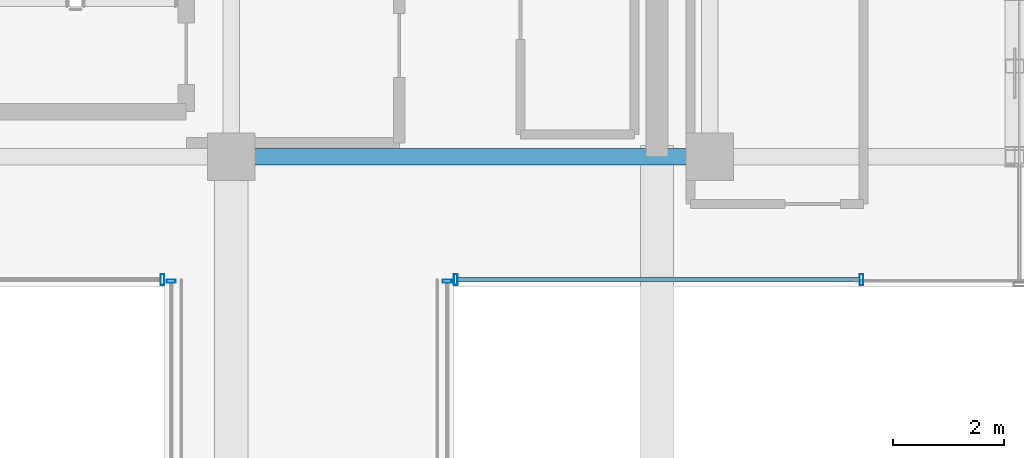
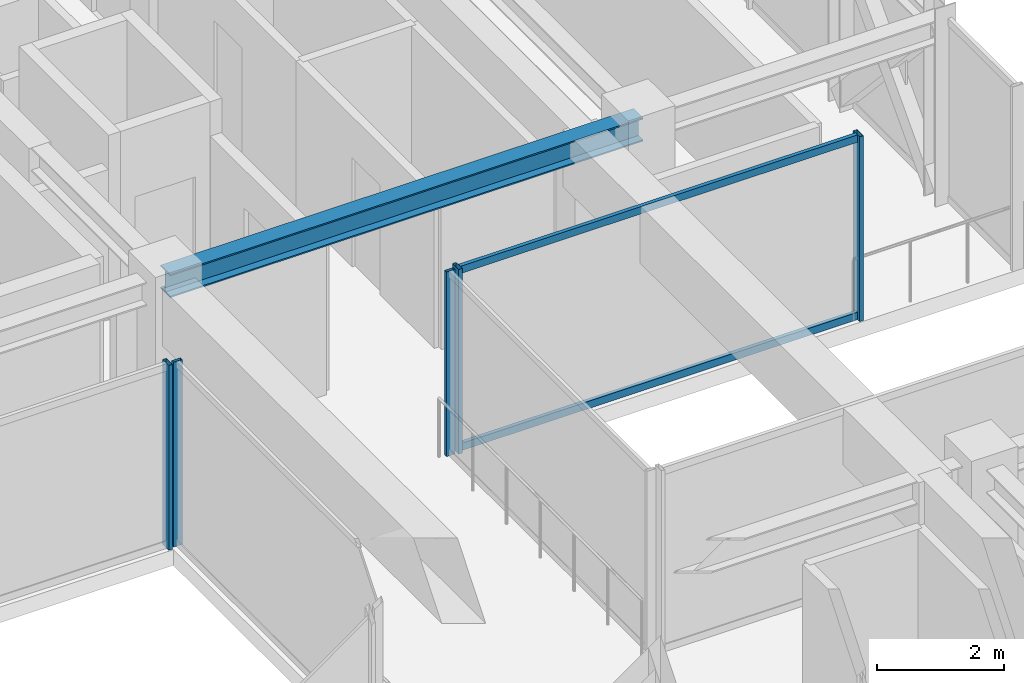
# One storey, part 21 of 40: 7 members, 1 beam, 4 elements without a shape of their own.
"""IFC4 building model written with IfcOpenShell, lengths in metres."""

from ifc_helpers import new_model, si_unit, direction, frame, origin, origin_2d, place, context, subcontext, project, spatial, hollow_rectangle, i_section, extrude, source, transform, mapped, material, material_profile, profile_set, type_object, element, aggregate, save


model = new_model("IFC4")

# Units and contexts
model_context = context("Model", 3, precision=1e-05, world=origin(), true_north=direction((0.0, 1.0)))
body_context = subcontext(model_context, "Body", "Model", "MODEL_VIEW")
ifc_project = project(units=[si_unit("LENGTHUNIT", "METRE"), si_unit("AREAUNIT", "SQUARE_METRE"), si_unit("VOLUMEUNIT", "CUBIC_METRE"), si_unit("PLANEANGLEUNIT", "RADIAN"), si_unit("MASSUNIT", "GRAM", prefix="KILO")], contexts=[model_context])

# Site, building, storey
site_placement = place(None, origin())
site = spatial("IfcSite", under=ifc_project, at=site_placement, CompositionType="ELEMENT")
building_placement = place(site_placement, origin())
building = spatial("IfcBuilding", under=site, at=building_placement, Name="Nahalor Promenade Grand Hotel", CompositionType="ELEMENT")
storey_placement = place(building_placement, frame((0.0, 0.0, 288.800048828125)))
storey = spatial("IfcBuildingStorey", under=building, at=storey_placement, Name="L74", CompositionType="ELEMENT", Elevation=288.800048828125)

# Beam
ifc_material_1 = material(Name="Steel S355JR", Category="steel")
ifc_material_profile_1 = material_profile(ifc_material_1, i_section(OverallWidth=0.3, OverallDepth=0.45, WebThickness=0.014, FlangeThickness=0.026, at=origin_2d()), Name="HEB 450")
ifc_profile_set_1 = profile_set([ifc_material_profile_1], Name="Steel S355JR")
beam_type = type_object("IfcBeamType", Name="Beam-Girder-HEB450", PredefinedType="BEAM", material=ifc_profile_set_1)
shared_shape_1 = source(origin(), body_context, "Body", "SweptSolid", [
    extrude(i_section(OverallWidth=0.3, OverallDepth=0.45, WebThickness=0.014, FlangeThickness=0.026, at=origin_2d()), origin(), (0.0, 0.0, 1.0), 8.60009765625),
])
beam_placement = place(storey_placement, frame((8.39990234375, 5.39990234375, 3.324951171875), z_axis=(1.0, 0.0, 0.0), x_axis=(0.0, 1.0, 0.0)))
element("IfcBeam", 1, at=beam_placement, inside=storey, type_object=beam_type, Name="BM-L74-GX-2-5", PredefinedType="BEAM", context=body_context, shape_type="MappedRepresentation", body=[
    mapped(shared_shape_1, transform((0.0, 0.0, 0.0), scale=1.0)),
])

# Curtain wall, members
ifc_material_2 = material(Name="Anodised Bronze Aluminium EN AW-6063 T6", Category="aluminium")
curtain_wall_type_1 = type_object("IfcCurtainWallType", Name="CW3 Elliptical-Void Collar Unitised Curtain Wall", PredefinedType="USERDEFINED", material=ifc_material_2)
curtain_wall_1_placement = place(storey_placement, origin())
curtain_wall_1 = element("IfcCurtainWall", 2, at=curtain_wall_1_placement, inside=storey, type_object=curtain_wall_type_1, Name="L74 Curtain Wall CW-L74-VOID-EN1", ObjectType="UNITISED_CURTAIN_WALL", PredefinedType="USERDEFINED")
ifc_material_profile_2 = material_profile(ifc_material_2, hollow_rectangle(XDim=0.07, YDim=0.14, WallThickness=0.004, at=origin_2d()), Name="CWT 70x140x4")
ifc_profile_set_2 = profile_set([ifc_material_profile_2], Name="Anodised Bronze Aluminium EN AW-6063 T6")
member_type_1 = type_object("IfcMemberType", Name="CWT3 Void Collar Transom 70x140", PredefinedType="USERDEFINED", material=ifc_profile_set_2)
shared_shape_2 = source(origin(), body_context, "Body", "SweptSolid", [
    extrude(hollow_rectangle(XDim=0.07, YDim=0.14, WallThickness=0.004, at=origin_2d()), origin(), (0.0, 0.0, 1.0), 7.219970703125),
])
member_1_placement = place(storey_placement, frame((12.469970703125, 3.19091796875, 0.070068359375), z_axis=(1.0, 0.0, 0.0), x_axis=(0.0, 1.0, 0.0)))
member_1 = element("IfcMember", 3, at=member_1_placement, type_object=member_type_1, Name="CW-L74-VOID-EN1 Transom 0-0", ObjectType="TRANSOM", PredefinedType="USERDEFINED", context=body_context, shape_type="MappedRepresentation", body=[
    mapped(shared_shape_2, transform((0.0, 0.0, 0.0), scale=1.0)),
])
member_2_placement = place(storey_placement, frame((12.469970703125, 3.19091796875, 3.47998046875), z_axis=(1.0, 0.0, 0.0), x_axis=(0.0, 1.0, 0.0)))
member_2 = element("IfcMember", 4, at=member_2_placement, type_object=member_type_1, Name="CW-L74-VOID-EN1 Transom 0-1", ObjectType="TRANSOM", PredefinedType="USERDEFINED", context=body_context, shape_type="MappedRepresentation", body=[
    mapped(shared_shape_2, transform((0.0, 0.0, 0.0), scale=1.0)),
])

# Curtain wall, member
curtain_wall_2_placement = place(storey_placement, origin())
curtain_wall_2 = element("IfcCurtainWall", 5, at=curtain_wall_2_placement, inside=storey, type_object=curtain_wall_type_1, Name="L74 Curtain Wall CW-L74-VOID-WN1", ObjectType="UNITISED_CURTAIN_WALL", PredefinedType="USERDEFINED")
ifc_material_profile_3 = material_profile(ifc_material_2, hollow_rectangle(XDim=0.07, YDim=0.2, WallThickness=0.005, at=origin_2d()), Name="CWM 70x200x5")
ifc_profile_set_3 = profile_set([ifc_material_profile_3], Name="Anodised Bronze Aluminium EN AW-6063 T6")
member_type_2 = type_object("IfcMemberType", Name="CWM3 Void Collar Mullion 70x200", PredefinedType="MULLION", material=ifc_profile_set_3)
shared_shape_3 = source(origin(), body_context, "Body", "SweptSolid", [
    extrude(hollow_rectangle(XDim=0.07, YDim=0.2, WallThickness=0.005, at=origin_2d()), origin(), (0.0, 0.0, 1.0), 3.550048828125),
])
member_3_placement = place(storey_placement, frame((7.1650390625, 3.19091796875, 0.0), z_axis=(0.0, 0.0, 1.0), x_axis=(1.0, 0.0, 0.0)))
member_3 = element("IfcMember", 6, at=member_3_placement, type_object=member_type_2, Name="CW-L74-VOID-WN1 Mullion 3", PredefinedType="MULLION", context=body_context, shape_type="MappedRepresentation", body=[
    mapped(shared_shape_3, transform((0.0, 0.0, 0.0), scale=1.0)),
])
aggregate(curtain_wall_2, [member_3])

# Member
member_4_placement = place(storey_placement, frame((12.43505859375, 3.19091796875, 0.0), z_axis=(0.0, 0.0, 1.0), x_axis=(1.0, 0.0, 0.0)))
member_4 = element("IfcMember", 7, at=member_4_placement, type_object=member_type_2, Name="CW-L74-VOID-EN1 Mullion 0", PredefinedType="MULLION", context=body_context, shape_type="MappedRepresentation", body=[
    mapped(shared_shape_3, transform((0.0, 0.0, 0.0), scale=1.0)),
])

member_5_placement = place(storey_placement, frame((19.72509765625, 3.19091796875, 0.0), z_axis=(0.0, 0.0, 1.0), x_axis=(1.0, 0.0, 0.0)))
member_5 = element("IfcMember", 8, at=member_5_placement, type_object=member_type_2, Name="CW-L74-VOID-EN1 Mullion 1", PredefinedType="MULLION", context=body_context, shape_type="MappedRepresentation", body=[
    mapped(shared_shape_3, transform((0.0, 0.0, 0.0), scale=1.0)),
])

aggregate(curtain_wall_1, [member_4, member_5, member_1, member_2])

# Curtain wall, member
curtain_wall_type_2 = type_object("IfcCurtainWallType", Name="CW4 Low-Iron Sky-Gallery Bridge Curtain Wall", PredefinedType="USERDEFINED", material=ifc_material_2)
curtain_wall_3_placement = place(storey_placement, origin())
curtain_wall_3 = element("IfcCurtainWall", 9, at=curtain_wall_3_placement, inside=storey, type_object=curtain_wall_type_2, Name="L74 Curtain Wall CW-L74-BRG-W", ObjectType="UNITISED_CURTAIN_WALL", PredefinedType="USERDEFINED")
ifc_material_profile_4 = material_profile(ifc_material_2, hollow_rectangle(XDim=0.06, YDim=0.16, WallThickness=0.004, at=origin_2d()), Name="CWM 60x160x4")
ifc_profile_set_4 = profile_set([ifc_material_profile_4], Name="Anodised Bronze Aluminium EN AW-6063 T6")
member_type_3 = type_object("IfcMemberType", Name="CWM4 Sky-Gallery Slim Mullion 60x160", PredefinedType="MULLION", material=ifc_profile_set_4)
shared_shape_4 = source(origin(), body_context, "Body", "SweptSolid", [
    extrude(hollow_rectangle(XDim=0.06, YDim=0.16, WallThickness=0.004, at=origin_2d()), origin(), (0.0, 0.0, 1.0), 3.550048828125),
])
member_6_placement = place(storey_placement, frame((7.320068359375, 3.160888671875, 0.0), z_axis=(0.0, 0.0, 1.0), x_axis=(0.0, 1.0, 0.0)))
member_6 = element("IfcMember", 10, at=member_6_placement, type_object=member_type_3, Name="CW-L74-BRG-W Mullion 1", PredefinedType="MULLION", context=body_context, shape_type="MappedRepresentation", body=[
    mapped(shared_shape_4, transform((0.0, 0.0, 0.0), scale=1.0)),
])
aggregate(curtain_wall_3, [member_6])

curtain_wall_4_placement = place(storey_placement, origin())
curtain_wall_4 = element("IfcCurtainWall", 11, at=curtain_wall_4_placement, inside=storey, type_object=curtain_wall_type_2, Name="L74 Curtain Wall CW-L74-BRG-E", ObjectType="UNITISED_CURTAIN_WALL", PredefinedType="USERDEFINED")
member_7_placement = place(storey_placement, frame((12.280029296875, 3.160888671875, 0.0), z_axis=(0.0, 0.0, 1.0), x_axis=(0.0, 1.0, 0.0)))
member_7 = element("IfcMember", 12, at=member_7_placement, type_object=member_type_3, Name="CW-L74-BRG-E Mullion 1", PredefinedType="MULLION", context=body_context, shape_type="MappedRepresentation", body=[
    mapped(shared_shape_4, transform((0.0, 0.0, 0.0), scale=1.0)),
])
aggregate(curtain_wall_4, [member_7])

save(model, "model.ifc")
